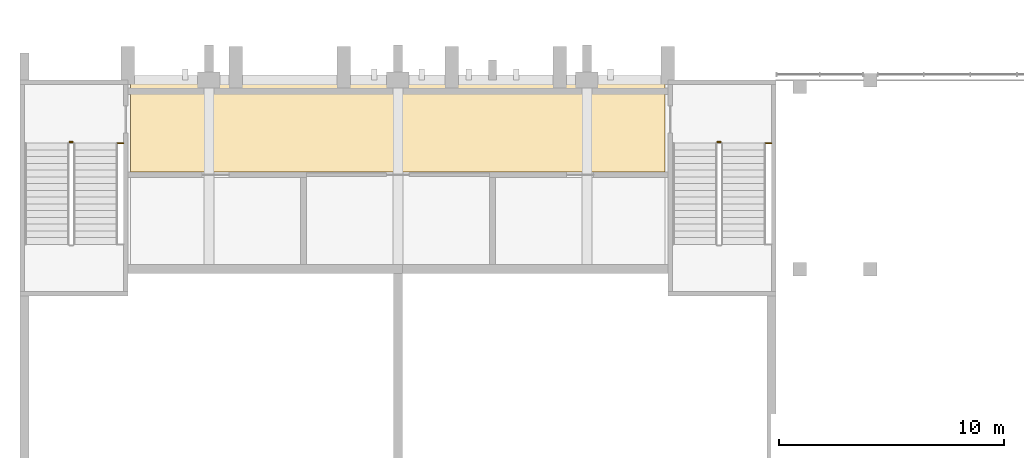
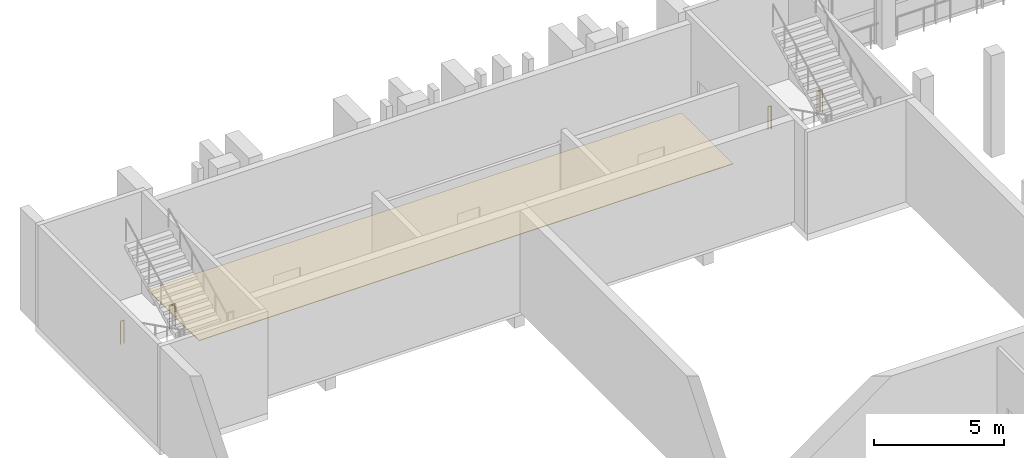
# One storey, part 84 of 91: 4 railings, 1 covering.
"""IFC4 building model written with IfcOpenShell, lengths in metres."""

from ifc_helpers import new_model, si_unit, direction, frame, origin, origin_2d, place, context, subcontext, project, spatial, polyline, circle, outline, extrude, material, layer, layer_set, type_object, element, save


model = new_model("IFC4")

# Units and contexts
model_context = context("Model", 3, precision=1e-05, world=origin(), true_north=direction((0.0, 1.0)))
body_context = subcontext(model_context, "Body", "Model", "MODEL_VIEW")
ifc_project = project(units=[si_unit("LENGTHUNIT", "METRE"), si_unit("AREAUNIT", "SQUARE_METRE"), si_unit("VOLUMEUNIT", "CUBIC_METRE"), si_unit("PLANEANGLEUNIT", "RADIAN"), si_unit("MASSUNIT", "GRAM", prefix="KILO")], contexts=[model_context])

# Site, building, storey
site_placement = place(None, origin())
site = spatial("IfcSite", under=ifc_project, at=site_placement, CompositionType="ELEMENT")
building_placement = place(site_placement, origin())
building = spatial("IfcBuilding", under=site, at=building_placement, Name="Kiln Court Media Centre", CompositionType="ELEMENT")
storey_placement = place(building_placement, frame((0.0, 0.0, 5.39990234375)))
storey = spatial("IfcBuildingStorey", under=building, at=storey_placement, Name="L01", CompositionType="ELEMENT", Elevation=5.39990234375)

# Covering
ifc_material_1 = material(Name="Terrazzo")
ifc_layer = layer(ifc_material_1, 0.02490234375)
ifc_layer_set = layer_set([ifc_layer], Name="Polished terrazzo floor finish 25")
covering_type = type_object("IfcCoveringType", Name="Polished terrazzo floor finish 25", PredefinedType="FLOORING", material=ifc_layer_set)
covering_placement = place(storey_placement, origin())
element("IfcCovering", 1, at=covering_placement, inside=storey, type_object=covering_type, Name="Rear Exit Corridor floor finish", PredefinedType="FLOORING", context=body_context, shape_type="SweptSolid", body=[
    extrude(outline(polyline([(4.919921875, 63.1201171875), (28.679931640625, 63.1201171875), (28.679931640625, 67.080078125), (4.919921875, 67.080078125), (4.919921875, 63.1201171875)])), origin(), (0.0, 0.0, 1.0), 0.025146484375),
])

# Railings
ifc_material_2 = material(Name="Steel S275", Category="steel")
railing_type = type_object("IfcRailingType", Name="Steel S275 stair guard 1100", PredefinedType="GUARDRAIL", material=ifc_material_2)
railing_1_placement = place(storey_placement, frame((2.199951171875, 64.449951171875, 0.0)))
element("IfcRailing", 2, at=railing_1_placement, inside=storey, type_object=railing_type, Name="ST-07 stair guard", PredefinedType="GUARDRAIL", context=body_context, shape_type="SweptSolid", body=[
    extrude(circle(Radius=0.02392578125, at=origin_2d()), frame((0.0, 0.0, 1.076171875), z_axis=(1.0, 0.0, 0.0), x_axis=(0.0, 1.0, 0.0)), (0.0, 0.0, 1.0), 0.150146484375),
    extrude(circle(Radius=0.02099609375, at=origin_2d()), origin(), (0.0, 0.0, 1.0), 1.052001953125),
    extrude(circle(Radius=0.02099609375, at=origin_2d()), frame((0.150146484375, 0.0, 0.0)), (0.0, 0.0, 1.0), 1.052001953125),
])
railing_2_placement = place(storey_placement, frame((4.35009765625, 64.39990234375, 0.0)))
element("IfcRailing", 3, at=railing_2_placement, inside=storey, type_object=railing_type, Name="ST-07 landing edge guard", PredefinedType="GUARDRAIL", context=body_context, shape_type="SweptSolid", body=[
    extrude(circle(Radius=0.02392578125, at=origin_2d()), frame((0.0, 0.0, 1.076171875), z_axis=(1.0, 0.0, 0.0), x_axis=(0.0, 1.0, 0.0)), (0.0, 0.0, 1.0), 0.25),
    extrude(circle(Radius=0.02099609375, at=origin_2d()), origin(), (0.0, 0.0, 1.0), 1.052001953125),
    extrude(circle(Radius=0.02099609375, at=origin_2d()), frame((0.25, 0.0, 0.0)), (0.0, 0.0, 1.0), 1.052001953125),
])
railing_3_placement = place(storey_placement, frame((31.0, 64.449951171875, 0.0)))
element("IfcRailing", 4, at=railing_3_placement, inside=storey, type_object=railing_type, Name="ST-08 stair guard", PredefinedType="GUARDRAIL", context=body_context, shape_type="SweptSolid", body=[
    extrude(circle(Radius=0.02392578125, at=origin_2d()), frame((0.0, 0.0, 1.076171875), z_axis=(1.0, 0.0, 0.0), x_axis=(0.0, 1.0, 0.0)), (0.0, 0.0, 1.0), 0.14990234375),
    extrude(circle(Radius=0.02099609375, at=origin_2d()), origin(), (0.0, 0.0, 1.0), 1.052001953125),
    extrude(circle(Radius=0.02099609375, at=origin_2d()), frame((0.14990234375, 0.0, 0.0)), (0.0, 0.0, 1.0), 1.052001953125),
])
railing_4_placement = place(storey_placement, frame((33.14990234375, 64.39990234375, 0.0)))
element("IfcRailing", 5, at=railing_4_placement, inside=storey, type_object=railing_type, Name="ST-08 landing edge guard", PredefinedType="GUARDRAIL", context=body_context, shape_type="SweptSolid", body=[
    extrude(circle(Radius=0.02392578125, at=origin_2d()), frame((0.0, 0.0, 1.076171875), z_axis=(1.0, 0.0, 0.0), x_axis=(0.0, 1.0, 0.0)), (0.0, 0.0, 1.0), 0.25),
    extrude(circle(Radius=0.02099609375, at=origin_2d()), origin(), (0.0, 0.0, 1.0), 1.052001953125),
    extrude(circle(Radius=0.02099609375, at=origin_2d()), frame((0.25, 0.0, 0.0)), (0.0, 0.0, 1.0), 1.052001953125),
])

save(model, "model.ifc")
